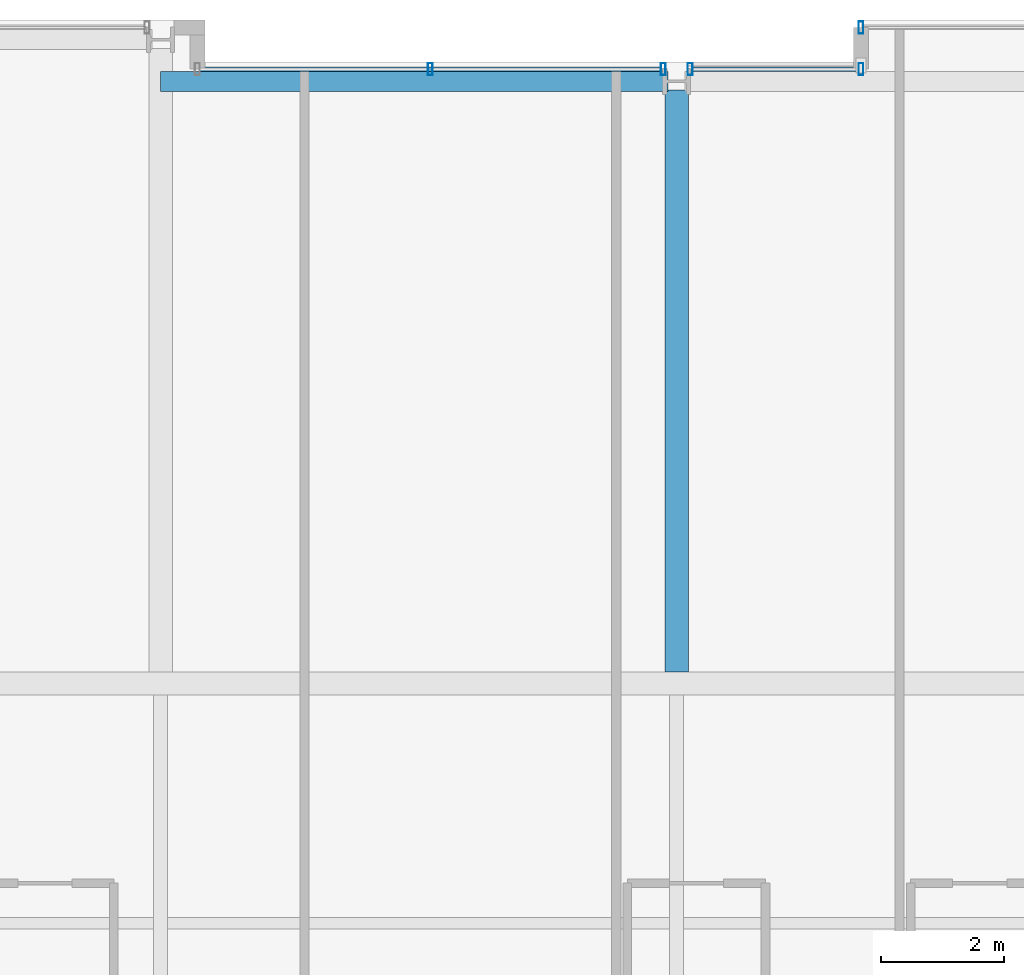
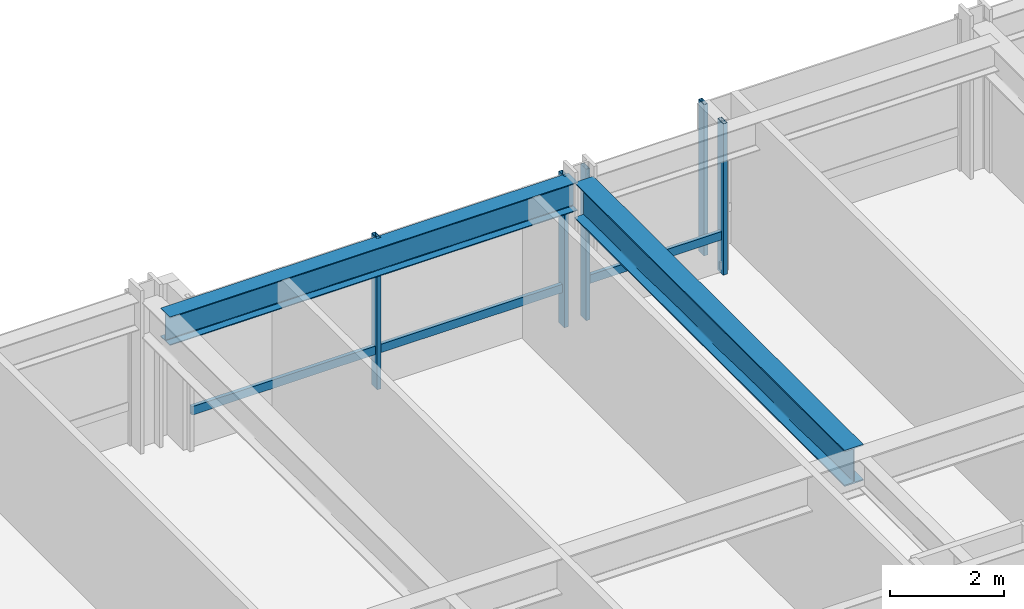
# One storey, part 22 of 35: 7 members, 2 beams, 3 elements without a shape of their own.
"""IFC4 building model written with IfcOpenShell, lengths in metres."""

from ifc_helpers import new_model, si_unit, direction, frame, origin, origin_2d, place, context, subcontext, project, spatial, hollow_rectangle, i_section, extrude, material, layer, layer_set, material_profile, profile_set, type_object, element, aggregate, save


model = new_model("IFC4")

# Units and contexts
model_context = context("Model", 3, precision=1e-05, world=origin(), true_north=direction((0.0, 1.0)))
body_context = subcontext(model_context, "Body", "Model", "MODEL_VIEW")
ifc_project = project(units=[si_unit("LENGTHUNIT", "METRE"), si_unit("AREAUNIT", "SQUARE_METRE"), si_unit("VOLUMEUNIT", "CUBIC_METRE"), si_unit("PLANEANGLEUNIT", "RADIAN"), si_unit("MASSUNIT", "GRAM", prefix="KILO")], contexts=[model_context])

# Site, building, storey
site_placement = place(None, origin())
site = spatial("IfcSite", under=ifc_project, at=site_placement, CompositionType="ELEMENT")
building_placement = place(site_placement, origin())
building = spatial("IfcBuilding", under=site, at=building_placement, Name="Drelvath Grand Hotel", CompositionType="ELEMENT")
storey_placement = place(building_placement, frame((0.0, 0.0, 95.300048828125)))
storey = spatial("IfcBuildingStorey", under=building, at=storey_placement, Name="L23", CompositionType="ELEMENT", Elevation=95.300048828125)

# Curtain wall, member
ifc_material_1 = material(Name="Champagne Bronze Anodised Aluminium Frame", Category="aluminium")
ifc_layer = layer(ifc_material_1, 0.199951171875)
ifc_layer_set = layer_set([ifc_layer], Name="Champagne Bronze Anodised Aluminium Frame")
curtain_wall_type = type_object("IfcCurtainWallType", Name="Stick Curtain Wall CW-03 Champagne Bronze Mid-Rise", PredefinedType="NOTDEFINED", material=ifc_layer_set)
curtain_wall_1_placement = place(storey_placement, origin())
curtain_wall_1 = element("IfcCurtainWall", 1, at=curtain_wall_1_placement, inside=storey, type_object=curtain_wall_type, Name="L23 CW-03 Curtain Wall CW03-L23-NM1", PredefinedType="NOTDEFINED")
ifc_material_profile_1 = material_profile(ifc_material_1, hollow_rectangle(XDim=0.074951171875, YDim=0.179931640625, WallThickness=0.0048828125, at=origin_2d()), Name="HSS180X75X5")
ifc_profile_set_1 = profile_set([ifc_material_profile_1], Name="Champagne Bronze Anodised Aluminium Frame")
member_type_1 = type_object("IfcMemberType", Name="Curtain Wall Horizontal Transom CW-03 HSS180X75X5", PredefinedType="USERDEFINED", material=ifc_profile_set_1)
member_1_placement = place(storey_placement, frame((-7.760009765625, 53.199951171875, 0.81005859375), z_axis=(1.0, 0.0, 0.0), x_axis=(0.0, 1.0, 0.0)))
member_1 = element("IfcMember", 2, at=member_1_placement, type_object=member_type_1, Name="CW03-L23-NM1 Sill Transom", ObjectType="TRANSOM", PredefinedType="USERDEFINED", context=body_context, shape_type="SweptSolid", body=[
    extrude(hollow_rectangle(XDim=0.074951171875, YDim=0.179931640625, WallThickness=0.0048828125, at=origin_2d()), origin(), (0.0, 0.0, 1.0), 7.50048828125),
])

curtain_wall_2_placement = place(storey_placement, origin())
curtain_wall_2 = element("IfcCurtainWall", 3, at=curtain_wall_2_placement, inside=storey, type_object=curtain_wall_type, Name="L23 CW-03 Curtain Wall CW03-L23-NM2", PredefinedType="NOTDEFINED")
member_2_placement = place(storey_placement, frame((0.259521484375, 53.199951171875, 0.81005859375), z_axis=(1.0, 0.0, 0.0), x_axis=(0.0, 1.0, 0.0)))
member_2 = element("IfcMember", 4, at=member_2_placement, type_object=member_type_1, Name="CW03-L23-NM2 Sill Transom", ObjectType="TRANSOM", PredefinedType="USERDEFINED", context=body_context, shape_type="SweptSolid", body=[
    extrude(hollow_rectangle(XDim=0.074951171875, YDim=0.179931640625, WallThickness=0.0048828125, at=origin_2d()), origin(), (0.0, 0.0, 1.0), 2.700439453125),
])

# Member
ifc_material_profile_2 = material_profile(ifc_material_1, hollow_rectangle(XDim=0.080078125, YDim=0.199951171875, WallThickness=0.0048828125, at=origin_2d()), Name="HSS200X80X5")
ifc_profile_set_2 = profile_set([ifc_material_profile_2], Name="Champagne Bronze Anodised Aluminium Frame")
member_type_2 = type_object("IfcMemberType", Name="Curtain Wall Vertical Mullion CW-03 HSS200X80X5", PredefinedType="MULLION", material=ifc_profile_set_2)
member_3_placement = place(storey_placement, frame((-4.009765625, 53.199951171875, 0.0), z_axis=(0.0, 0.0, 1.0), x_axis=(1.0, 0.0, 0.0)))
member_3 = element("IfcMember", 5, at=member_3_placement, type_object=member_type_2, Name="CW03-L23-NM1 Mullion 2", PredefinedType="MULLION", context=body_context, shape_type="SweptSolid", body=[
    extrude(hollow_rectangle(XDim=0.080078125, YDim=0.199951171875, WallThickness=0.0048828125, at=origin_2d()), origin(), (0.0, 0.0, 1.0), 3.239990234375),
])

member_4_placement = place(storey_placement, frame((-0.219482421875, 53.199951171875, 0.0), z_axis=(0.0, 0.0, 1.0), x_axis=(1.0, 0.0, 0.0)))
member_4 = element("IfcMember", 6, at=member_4_placement, type_object=member_type_2, Name="CW03-L23-NM1 Mullion 3", PredefinedType="MULLION", context=body_context, shape_type="SweptSolid", body=[
    extrude(hollow_rectangle(XDim=0.080078125, YDim=0.199951171875, WallThickness=0.0048828125, at=origin_2d()), origin(), (0.0, 0.0, 1.0), 3.239990234375),
])

aggregate(curtain_wall_1, [member_3, member_4, member_1])

member_5_placement = place(storey_placement, frame((0.219482421875, 53.199951171875, 0.0), z_axis=(0.0, 0.0, 1.0), x_axis=(1.0, 0.0, 0.0)))
member_5 = element("IfcMember", 7, at=member_5_placement, type_object=member_type_2, Name="CW03-L23-NM2 Mullion 1", PredefinedType="MULLION", context=body_context, shape_type="SweptSolid", body=[
    extrude(hollow_rectangle(XDim=0.080078125, YDim=0.199951171875, WallThickness=0.0048828125, at=origin_2d()), origin(), (0.0, 0.0, 1.0), 3.239990234375),
])

member_6_placement = place(storey_placement, frame((3.0, 53.199951171875, 0.0), z_axis=(0.0, 0.0, 1.0), x_axis=(1.0, 0.0, 0.0)))
member_6 = element("IfcMember", 8, at=member_6_placement, type_object=member_type_2, Name="CW03-L23-NM2 Mullion 2", PredefinedType="MULLION", context=body_context, shape_type="SweptSolid", body=[
    extrude(hollow_rectangle(XDim=0.080078125, YDim=0.199951171875, WallThickness=0.0048828125, at=origin_2d()), origin(), (0.0, 0.0, 1.0), 3.239990234375),
])

aggregate(curtain_wall_2, [member_5, member_6, member_2])

# Curtain wall, member
curtain_wall_3_placement = place(storey_placement, origin())
curtain_wall_3 = element("IfcCurtainWall", 9, at=curtain_wall_3_placement, inside=storey, type_object=curtain_wall_type, Name="L23 CW-03 Curtain Wall CW03-L23-NE1", PredefinedType="NOTDEFINED")
member_7_placement = place(storey_placement, frame((3.0, 53.8798828125, 0.0), z_axis=(0.0, 0.0, 1.0), x_axis=(1.0, 0.0, 0.0)))
member_7 = element("IfcMember", 10, at=member_7_placement, type_object=member_type_2, Name="CW03-L23-NE1 Mullion 1", PredefinedType="MULLION", context=body_context, shape_type="SweptSolid", body=[
    extrude(hollow_rectangle(XDim=0.080078125, YDim=0.199951171875, WallThickness=0.0048828125, at=origin_2d()), origin(), (0.0, 0.0, 1.0), 3.239990234375),
])
aggregate(curtain_wall_3, [member_7])

# Beams
ifc_material_2 = material(Name="Steel ASTM A992 Gr 50", Category="steel")
ifc_material_profile_3 = material_profile(ifc_material_2, i_section(OverallWidth=0.323974609375, OverallDepth=0.611083984375, WebThickness=0.0126953125, FlangeThickness=0.01904296875, FilletRadius=0.02197265625, at=origin_2d()), Name="W24X104")
ifc_profile_set_3 = profile_set([ifc_material_profile_3], Name="Steel ASTM A992 Gr 50")
beam_type_1 = type_object("IfcBeamType", Name="Perimeter Spandrel Beam W24X104", PredefinedType="SPANDREL", material=ifc_profile_set_3)
beam_1_placement = place(storey_placement, frame((-8.39990234375, 53.0, 2.9345703125), z_axis=(1.0, 0.0, 0.0), x_axis=(0.0, 1.0, 0.0)))
element("IfcBeam", 11, at=beam_1_placement, inside=storey, type_object=beam_type_1, Name="L23 Spandrel North Mid W", PredefinedType="SPANDREL", context=body_context, shape_type="SweptSolid", body=[
    extrude(i_section(OverallWidth=0.323974609375, OverallDepth=0.611083984375, WebThickness=0.0126953125, FlangeThickness=0.01904296875, FilletRadius=0.02197265625, at=origin_2d()), origin(), (0.0, 0.0, 1.0), 8.260009765625),
])
ifc_material_profile_4 = material_profile(ifc_material_2, i_section(OverallWidth=0.380615234375, OverallDepth=0.773193359375, WebThickness=0.0166015625, FlangeThickness=0.027099609375, FilletRadius=0.02490234375, at=origin_2d()), Name="W30X173")
ifc_profile_set_4 = profile_set([ifc_material_profile_4], Name="Steel ASTM A992 Gr 50")
beam_type_2 = type_object("IfcBeamType", Name="Primary Floor Girder W30X173", PredefinedType="BEAM", material=ifc_profile_set_4)
beam_2_placement = place(storey_placement, frame((0.0, 43.390380859375, 2.853271484375), z_axis=(0.0, 1.0, 0.0), x_axis=(-1.0, 0.0, 0.0)))
element("IfcBeam", 12, at=beam_2_placement, inside=storey, type_object=beam_type_2, Name="L23 North Wing Girder 5", PredefinedType="BEAM", context=body_context, shape_type="SweptSolid", body=[
    extrude(i_section(OverallWidth=0.380615234375, OverallDepth=0.773193359375, WebThickness=0.0166015625, FlangeThickness=0.027099609375, FilletRadius=0.02490234375, at=origin_2d()), origin(), (0.0, 0.0, 1.0), 9.4697265625),
])

save(model, "model.ifc")
